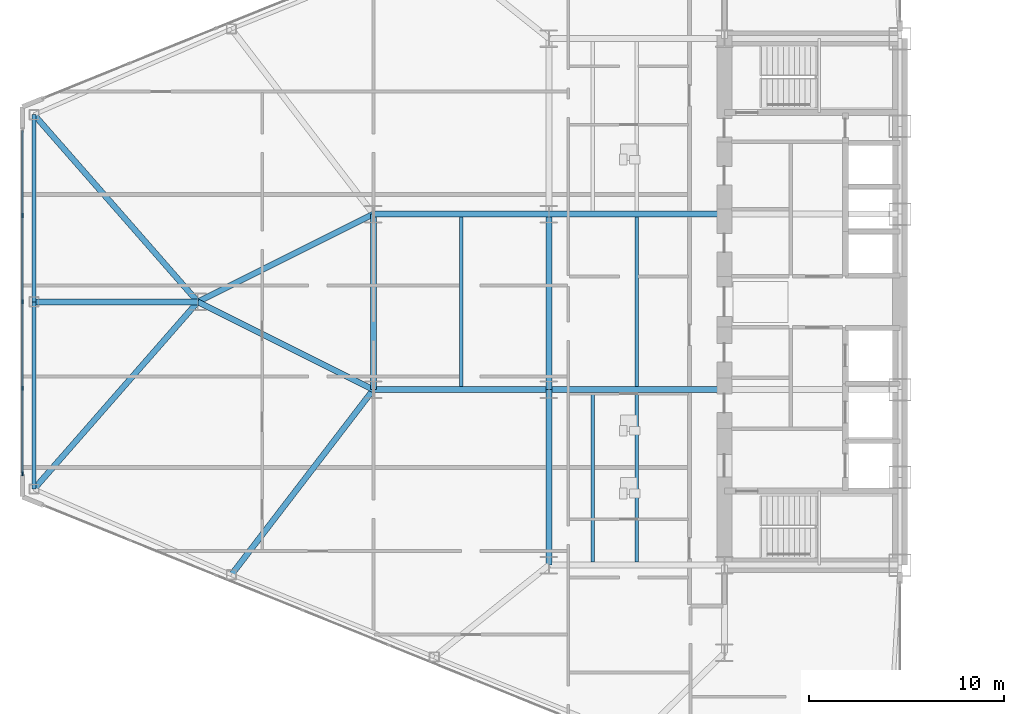
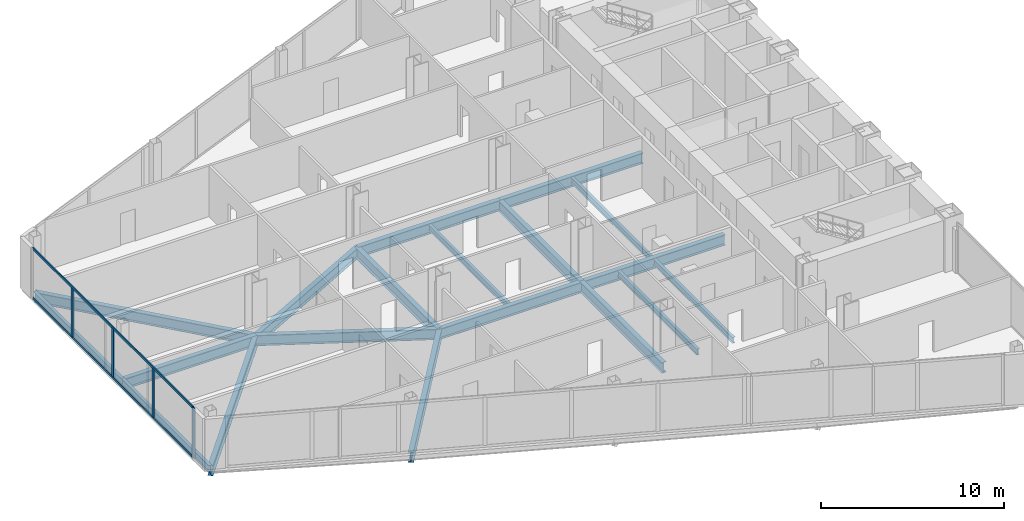
# One storey, part 4 of 25: 19 beams, 6 members, 1 element without a shape of its own.
"""IFC4 building model written with IfcOpenShell, lengths in metres."""

import ifcopenshell
import ifcopenshell.guid

model = None  # the IFC model being written
_history = None  # IfcOwnerHistory: only IFC2X3 demands one
_inside = {}  # id of a spatial element -> (the spatial element, [elements in it])
_under = {}  # id of a project, library or spatial element -> (it, [spatial elements below it])
_declared = {}  # id of a project -> (the project, [libraries it declares])
_typed = {}  # id of a type object -> (the type object, [elements of that type])
_made_of = {}  # id of a material, layer set ... -> (it, [elements and type objects made of it])


def new_model(schema):
    """Start an empty IFC model of exactly this schema.

    Asked for "IFC4X3", IfcOpenShell would pick the latest addendum, in which some entities
    have other attributes; the version numbers below select the first issue.
    IFC2X3 requires an IfcOwnerHistory on every rooted entity: one is made here for all.
    """
    global model, _history
    if schema == "IFC4X3":
        model = ifcopenshell.file(schema_version=(4, 3, 0, 0))
    else:
        model = ifcopenshell.file(schema=schema)
    _inside.clear()
    _under.clear()
    _declared.clear()
    _typed.clear()
    _made_of.clear()
    _history = None
    if model.schema == "IFC2X3":
        org = make("IfcOrganization", Name="unknown")
        user = make(
            "IfcPersonAndOrganization",
            ThePerson=make("IfcPerson", FamilyName="unknown"),
            TheOrganization=org,
        )
        app = make(
            "IfcApplication",
            ApplicationDeveloper=org,
            Version="unknown",
            ApplicationFullName="unknown",
            ApplicationIdentifier="unknown",
        )
        _history = make(
            "IfcOwnerHistory",
            OwningUser=user,
            OwningApplication=app,
            ChangeAction="ADDED",
            CreationDate=0,
        )
    return model


def make(cls, **values):
    """One entity of the class cls with the attributes given. An attribute that is None is left unset."""
    return model.create_entity(
        cls, **{name: value for name, value in values.items() if value is not None}
    )


def rooted(cls, **values):
    """An entity with a GlobalId (a new one), such as an element, a storey or a relation."""
    return make(cls, GlobalId=ifcopenshell.guid.new(), OwnerHistory=_history, **values)


def si_unit(unit_type, name, prefix=None):
    """IfcSIUnit, for example si_unit("LENGTHUNIT", "METRE", prefix="MILLI")."""
    return make("IfcSIUnit", UnitType=unit_type, Prefix=prefix, Name=name)


def assignment(units):
    """IfcUnitAssignment: the units of a project."""
    return None if units is None else make("IfcUnitAssignment", Units=units)


def point(xyz):
    """IfcCartesianPoint."""
    return None if xyz is None else make("IfcCartesianPoint", Coordinates=xyz)


def direction(xyz):
    """IfcDirection."""
    return None if xyz is None else make("IfcDirection", DirectionRatios=xyz)


def frame(location, z_axis=None, x_axis=None):
    """IfcAxis2Placement3D, a coordinate frame: its origin and axes. An axis left out is left unset."""
    return make(
        "IfcAxis2Placement3D",
        Location=point(location),
        Axis=direction(z_axis),
        RefDirection=direction(x_axis),
    )


def frame_2d(location, x_axis=None):
    """IfcAxis2Placement2D, a coordinate frame in the plane: its origin and x axis."""
    return make(
        "IfcAxis2Placement2D", Location=point(location), RefDirection=direction(x_axis)
    )


def origin():
    """The frame at (0, 0, 0) with its axes left unset."""
    return frame((0.0, 0.0, 0.0))


def origin_2d():
    """The frame at (0, 0) in the plane with its x axis left unset."""
    return frame_2d((0.0, 0.0))


def place(relative_to, where):
    """IfcLocalPlacement: puts the frame where relative to a parent placement (None: the world)."""
    return make(
        "IfcLocalPlacement", PlacementRelTo=relative_to, RelativePlacement=where
    )


def context(
    kind, dimensions, precision=None, world=None, true_north=None, identifier=None
):
    """IfcGeometricRepresentationContext, for example the 3D "Model" context."""
    return make(
        "IfcGeometricRepresentationContext",
        ContextIdentifier=identifier,
        ContextType=kind,
        CoordinateSpaceDimension=dimensions,
        Precision=precision,
        WorldCoordinateSystem=world,
        TrueNorth=true_north,
    )


def subcontext(parent, identifier, kind, view, scale=None):
    """IfcGeometricRepresentationSubContext, for example "Body" below "Model"."""
    return make(
        "IfcGeometricRepresentationSubContext",
        ContextIdentifier=identifier,
        ContextType=kind,
        ParentContext=parent,
        TargetScale=scale,
        TargetView=view,
    )


def project(units=None, contexts=None):
    """IfcProject with its units and contexts."""
    return rooted(
        "IfcProject",
        Name="project",
        RepresentationContexts=contexts,
        UnitsInContext=assignment(units),
    )


def spatial(cls, under=None, at=None, **own):
    """A site, building, storey or space (cls), placed at a placement, below another one or the project."""
    s = rooted(cls, ObjectPlacement=at, **own)
    if under is not None:
        _under.setdefault(under.id(), (under, []))[1].append(s)
    return s


def profile(cls, at=None, kind="AREA", **sizes):
    """A parametric profile (cls). Its sizes go by their IFC names, for example OverallWidth=200.0."""
    return make(cls, ProfileType=kind, Position=at, **sizes)


def rectangle(**sizes):
    """IfcRectangleProfileDef."""
    return profile("IfcRectangleProfileDef", **sizes)


def i_section(**sizes):
    """IfcIShapeProfileDef."""
    return profile("IfcIShapeProfileDef", **sizes)


def extrude(swept, where, along, depth):
    """IfcExtrudedAreaSolid: the profile swept, set in the frame where, extruded along a direction by depth."""
    return make(
        "IfcExtrudedAreaSolid",
        SweptArea=swept,
        Position=where,
        ExtrudedDirection=direction(along),
        Depth=depth,
    )


def shape(context_of_items, identifier, shape_type, items):
    """IfcShapeRepresentation: the items that make up one representation, for example the "Body"."""
    return make(
        "IfcShapeRepresentation",
        ContextOfItems=context_of_items,
        RepresentationIdentifier=identifier,
        RepresentationType=shape_type,
        Items=items,
    )


def source(mapping_origin, context_of_items, identifier, shape_type, items):
    """IfcRepresentationMap: a shape defined once, which mapped items show again and again."""
    return make(
        "IfcRepresentationMap",
        MappingOrigin=mapping_origin,
        MappedRepresentation=shape(context_of_items, identifier, shape_type, items),
    )


def transform(
    local_origin,
    x_axis=None,
    y_axis=None,
    z_axis=None,
    scale=None,
    scale2=None,
    scale3=None,
    uniform=True,
):
    """IfcCartesianTransformationOperator3D, or its non-uniform kind. x_axis, y_axis, z_axis: its Axis1, 2, 3."""
    if uniform:
        return make(
            "IfcCartesianTransformationOperator3D",
            Axis1=direction(x_axis),
            Axis2=direction(y_axis),
            LocalOrigin=point(local_origin),
            Scale=scale,
            Axis3=direction(z_axis),
        )
    return make(
        "IfcCartesianTransformationOperator3DnonUniform",
        Axis1=direction(x_axis),
        Axis2=direction(y_axis),
        LocalOrigin=point(local_origin),
        Scale=scale,
        Axis3=direction(z_axis),
        Scale2=scale2,
        Scale3=scale3,
    )


def mapped(mapping_source, mapping_target):
    """IfcMappedItem: shows the shape of a source again, moved by a transform."""
    return make(
        "IfcMappedItem", MappingSource=mapping_source, MappingTarget=mapping_target
    )


def material(Name=None, Category=None):
    """IfcMaterial."""
    return make("IfcMaterial", Name=Name, Category=Category)


def layer(
    of_material, thickness, ventilated=None, Name=None, Category=None, Priority=None
):
    """IfcMaterialLayer: one layer of a wall or slab, of a material (None: an air gap)."""
    return make(
        "IfcMaterialLayer",
        Material=of_material,
        LayerThickness=thickness,
        IsVentilated=ventilated,
        Name=Name,
        Category=Category,
        Priority=Priority,
    )


def layer_set(layers, Name=None):
    """IfcMaterialLayerSet."""
    return make("IfcMaterialLayerSet", MaterialLayers=layers, LayerSetName=Name)


def material_profile(
    of_material, cross_section, Name=None, Category=None, Priority=None
):
    """IfcMaterialProfile: a cross section and its material."""
    return make(
        "IfcMaterialProfile",
        Name=Name,
        Material=of_material,
        Profile=cross_section,
        Priority=Priority,
        Category=Category,
    )


def profile_set(profiles, Name=None, composite=None):
    """IfcMaterialProfileSet."""
    return make(
        "IfcMaterialProfileSet",
        Name=Name,
        MaterialProfiles=profiles,
        CompositeProfile=composite,
    )


def made_of(thing, what):
    """Note that an element or type object is made of a material, layer set ...; save() writes the relation."""
    if what is not None:
        _made_of.setdefault(what.id(), (what, []))[1].append(thing)
    return thing


def type_object(cls, material=None, **own):
    """A type object (cls), such as IfcWallType, which elements share."""
    return made_of(rooted(cls, **own), material)


def type_shapes(of_type, sources):
    """Give a type object the sources (RepresentationMaps) that its elements show as mapped items."""
    of_type.RepresentationMaps = sources


def element(
    cls,
    number,
    at=None,
    inside=None,
    cuts=None,
    type_object=None,
    material=None,
    context=None,
    identifier="Body",
    shape_type=None,
    held_by="IfcProductDefinitionShape",
    body=None,
    shapes=None,
    **own,
):
    """One element of the class cls, such as IfcWall. Its Tag is "e" and its number.

    at: its placement. inside: the storey or other place that contains it. cuts: it is an
    opening in that element (IfcRelVoidsElement). A single representation is given by context,
    identifier, shape_type and body (its items); several are given by shapes. held_by: the class
    of the entity that holds the representations. save() writes the other relations.
    """
    e = rooted(cls, Tag="e%d" % number, ObjectPlacement=at, **own)
    if body is not None:
        shapes = [shape(context, identifier, shape_type, body)]
    if shapes is not None:
        e.Representation = make(held_by, Representations=shapes)
    if inside is not None:
        _inside.setdefault(inside.id(), (inside, []))[1].append(e)
    if cuts is not None:
        rooted(
            "IfcRelVoidsElement", RelatingBuildingElement=cuts, RelatedOpeningElement=e
        )
    if type_object is not None:
        _typed.setdefault(type_object.id(), (type_object, []))[1].append(e)
    return made_of(e, material)


def aggregate(whole, parts):
    """IfcRelAggregates: a whole, such as a stair, and the parts it consists of."""
    return rooted("IfcRelAggregates", RelatingObject=whole, RelatedObjects=parts)


def save(model, path):
    """Write the relations noted so far, then the file.

    IfcRelAggregates (storeys below a building ...), IfcRelContainedInSpatialStructure (elements
    in a storey), IfcRelDefinesByType, IfcRelAssociatesMaterial and IfcRelDeclares: one each for
    every whole, place, type object, material and project.
    """
    for whole, parts in _under.values():
        aggregate(whole, parts)
    for where, things in _inside.values():
        rooted(
            "IfcRelContainedInSpatialStructure",
            RelatedElements=things,
            RelatingStructure=where,
        )
    for kind, things in _typed.values():
        rooted("IfcRelDefinesByType", RelatedObjects=things, RelatingType=kind)
    for what, things in _made_of.values():
        rooted("IfcRelAssociatesMaterial", RelatedObjects=things, RelatingMaterial=what)
    for by, libraries in _declared.values():
        rooted("IfcRelDeclares", RelatingContext=by, RelatedDefinitions=libraries)
    model.write(path)


model = new_model("IFC4")

# Units and contexts
model_context = context("Model", 3, precision=1e-05, world=origin(), true_north=direction((0.0, 1.0)))
body_context = subcontext(model_context, "Body", "Model", "MODEL_VIEW")
ifc_project = project(units=[si_unit("LENGTHUNIT", "METRE"), si_unit("AREAUNIT", "SQUARE_METRE"), si_unit("VOLUMEUNIT", "CUBIC_METRE"), si_unit("PLANEANGLEUNIT", "RADIAN"), si_unit("MASSUNIT", "GRAM", prefix="KILO")], contexts=[model_context])

# Site, building, storey
site_placement = place(None, origin())
site = spatial("IfcSite", under=ifc_project, at=site_placement, CompositionType="ELEMENT")
building_placement = place(site_placement, origin())
building = spatial("IfcBuilding", under=site, at=building_placement, Name="Seokmaru Belvedere", CompositionType="ELEMENT")
storey_placement = place(building_placement, frame((0.0, 0.0, 47.699951171875)))
storey = spatial("IfcBuildingStorey", under=building, at=storey_placement, Name="L12", CompositionType="ELEMENT", Elevation=47.699951171875)

# Beams
ifc_material_1 = material(Name="Steel SM355 (355 MPa)", Category="steel")
ifc_material_profile_1 = material_profile(ifc_material_1, i_section(OverallWidth=0.300048828125, OverallDepth=0.699951171875, WebThickness=0.012939453125, FlangeThickness=0.02392578125, at=origin_2d()), Name="H-700x300x13x24")
ifc_profile_set_1 = profile_set([ifc_material_profile_1], Name="Steel SM355 (355 MPa)")
beam_type_1 = type_object("IfcBeamType", Name="Primary Floor Girder H-700", PredefinedType="BEAM", material=ifc_profile_set_1)
shared_shape_1 = source(origin(), body_context, "Body", "SweptSolid", [
    extrude(i_section(OverallWidth=0.300048828125, OverallDepth=0.699951171875, WebThickness=0.012939453125, FlangeThickness=0.02392578125, at=origin_2d()), origin(), (0.0, 0.0, 1.0), 9.0),
])
for number, where, z_axis, x_axis, name in (
    (1, (-45.5, -13.5, -0.570068359375), (0.0, 1.0, 0.0), (-1.0, 0.0, 0.0), "L12 W Interior Grid Girder 1"),
    (2, (-45.5, -4.5, -0.570068359375), (0.0, 1.0, 0.0), (-1.0, 0.0, 0.0), "L12 W Interior Grid Girder 2"),
    (3, (-45.5, -4.5, -0.570068359375), (1.0, 0.0, 0.0), (0.0, 1.0, 0.0), "L12 W Wing Primary Girder 2"),
    (4, (-45.5, 4.5, -0.570068359375), (1.0, 0.0, 0.0), (0.0, 1.0, 0.0), "L12 W Wing Primary Girder 3"),
    (5, (-54.5, -4.5, -0.570068359375), (1.0, 0.0, 0.0), (0.0, 1.0, 0.0), "L12 W Outer Wing Girder 1"),
    (6, (-54.5, 4.5, -0.570068359375), (1.0, 0.0, 0.0), (0.0, 1.0, 0.0), "L12 W Outer Wing Girder 2"),
    (7, (-54.5, -4.5, -0.570068359375), (0.0, 1.0, 0.0), (-1.0, 0.0, 0.0), "L12 W Apex Frame Girder"),
):
    element("IfcBeam", number, at=place(storey_placement, frame(where, z_axis=z_axis, x_axis=x_axis)), inside=storey, type_object=beam_type_1, Name=name, PredefinedType="BEAM", context=body_context, shape_type="MappedRepresentation", body=[
        mapped(shared_shape_1, transform((0.0, 0.0, 0.0), scale=1.0)),
    ])
shared_shape_2 = source(origin(), body_context, "Body", "SweptSolid", [
    extrude(i_section(OverallWidth=0.300048828125, OverallDepth=0.699951171875, WebThickness=0.012939453125, FlangeThickness=0.02392578125, at=origin_2d()), origin(), (0.0, 0.0, 1.0), 10.062255859375),
])
for number, where, z_axis, x_axis, name in (
    (8, (-54.5, -4.5, -0.570068359375), (-0.894427191, 0.4472135955, 0.0), (-0.4472135955, -0.894427191, 0.0), "L12 W Apex Converging Girder 1"),
    (9, (-54.5, 4.5, -0.570068359375), (-0.894427191, -0.4472135955, 0.0), (0.4472135955, -0.894427191, 0.0), "L12 W Apex Converging Girder 2"),
):
    element("IfcBeam", number, at=place(storey_placement, frame(where, z_axis=z_axis, x_axis=x_axis)), inside=storey, type_object=beam_type_1, Name=name, PredefinedType="BEAM", context=body_context, shape_type="MappedRepresentation", body=[
        mapped(shared_shape_2, transform((0.0, 0.0, 0.0), scale=1.0)),
    ])
ifc_material_profile_2 = material_profile(ifc_material_1, i_section(OverallWidth=0.18505859375, OverallDepth=0.389892578125, WebThickness=0.008056640625, FlangeThickness=0.011962890625, at=origin_2d()), Name="H-390x185x8x12")
ifc_profile_set_2 = profile_set([ifc_material_profile_2], Name="Steel SM355 (355 MPa)")
beam_type_2 = type_object("IfcBeamType", Name="Secondary Floor Joist H-350", PredefinedType="JOIST", material=ifc_profile_set_2)
shared_shape_3 = source(origin(), body_context, "Body", "SweptSolid", [
    extrude(i_section(OverallWidth=0.18505859375, OverallDepth=0.389892578125, WebThickness=0.008056640625, FlangeThickness=0.011962890625, at=origin_2d()), origin(), (0.0, 0.0, 1.0), 8.68994140625),
])
type_shapes(beam_type_2, [shared_shape_3])
for number, where, z_axis, x_axis, name in (
    (10, (-43.25, -13.344970703125, -0.4150390625), (0.0, 1.0, 0.0), (-1.0, 0.0, 0.0), "L12 W Wing Inner Secondary Joist 1"),
    (11, (-41.0, -13.344970703125, -0.4150390625), (0.0, 1.0, 0.0), (-1.0, 0.0, 0.0), "L12 W Secondary Floor Joist 1"),
    (12, (-41.0, -4.344970703125, -0.4150390625), (0.0, 1.0, 0.0), (-1.0, 0.0, 0.0), "L12 W Secondary Floor Joist 2"),
    (13, (-50.0, -4.344970703125, -0.4150390625), (0.0, 1.0, 0.0), (-1.0, 0.0, 0.0), "L12 W Outer Bay Secondary Joist"),
):
    element("IfcBeam", number, at=place(storey_placement, frame(where, z_axis=z_axis, x_axis=x_axis)), inside=storey, type_object=beam_type_2, Name=name, PredefinedType="JOIST", context=body_context, shape_type="MappedRepresentation", body=[
        mapped(shared_shape_3, transform((0.0, 0.0, 0.0), scale=1.0)),
    ])
shared_shape_4 = source(origin(), body_context, "Body", "SweptSolid", [
    extrude(i_section(OverallWidth=0.300048828125, OverallDepth=0.699951171875, WebThickness=0.012939453125, FlangeThickness=0.02392578125, at=origin_2d()), origin(), (0.0, 0.0, 1.0), 12.7529296875),
])
for number, where, z_axis, x_axis, name in (
    (14, (-71.89990234375, -9.595703125, -0.570068359375), (0.658667231479, 0.752434368019, 0.0), (-0.752434368019, 0.658667231479, 0.0), "L12 W Apex Radial Floor Girder 1"),
    (15, (-71.89990234375, 9.595703125, -0.570068359375), (0.658667231479, -0.752434368019, 0.0), (0.752434368019, 0.658667231479, 0.0), "L12 W Apex Radial Floor Girder 2"),
):
    element("IfcBeam", number, at=place(storey_placement, frame(where, z_axis=z_axis, x_axis=x_axis)), inside=storey, type_object=beam_type_1, Name=name, PredefinedType="BEAM", context=body_context, shape_type="MappedRepresentation", body=[
        mapped(shared_shape_4, transform((0.0, 0.0, 0.0), scale=1.0)),
    ])
ifc_material_profile_3 = material_profile(ifc_material_1, i_section(OverallWidth=0.199951171875, OverallDepth=0.5, WebThickness=0.010009765625, FlangeThickness=0.01611328125, at=origin_2d()), Name="H-500x200x10x16")
ifc_profile_set_3 = profile_set([ifc_material_profile_3], Name="Steel SM355 (355 MPa)")
beam_type_3 = type_object("IfcBeamType", Name="Perimeter Spandrel Beam H-500", PredefinedType="SPANDREL", material=ifc_profile_set_3)
shared_shape_5 = source(origin(), body_context, "Body", "SweptSolid", [
    extrude(i_section(OverallWidth=0.199951171875, OverallDepth=0.5, WebThickness=0.010009765625, FlangeThickness=0.01611328125, at=origin_2d()), origin(), (0.0, 0.0, 1.0), 9.595703125),
])
type_shapes(beam_type_3, [shared_shape_5])
for number, where, z_axis, x_axis, name in (
    (16, (-71.89990234375, -9.595703125, -0.469970703125), (0.0, 1.0, 0.0), (-1.0, 0.0, 0.0), "L12 W Faceted Apex Spandrel S"),
    (17, (-71.89990234375, 0.0, -0.469970703125), (0.0, 1.0, 0.0), (-1.0, 0.0, 0.0), "L12 W Faceted Apex Spandrel N"),
):
    element("IfcBeam", number, at=place(storey_placement, frame(where, z_axis=z_axis, x_axis=x_axis)), inside=storey, type_object=beam_type_3, Name=name, PredefinedType="SPANDREL", context=body_context, shape_type="MappedRepresentation", body=[
        mapped(shared_shape_5, transform((0.0, 0.0, 0.0), scale=1.0)),
    ])
shared_shape_6 = source(origin(), body_context, "Body", "SweptSolid", [
    extrude(i_section(OverallWidth=0.300048828125, OverallDepth=0.699951171875, WebThickness=0.012939453125, FlangeThickness=0.02392578125, at=origin_2d()), origin(), (0.0, 0.0, 1.0), 11.96337890625),
])
beam_1_placement = place(storey_placement, frame((-61.779052734375, -13.994140625, -0.570068359375), z_axis=(0.608442682624, 0.793597821294, 0.0), x_axis=(-0.793597821294, 0.608442682624, 0.0)))
element("IfcBeam", 18, at=beam_1_placement, inside=storey, type_object=beam_type_1, Name="L12 W Flank Radial Floor Girder S-3", PredefinedType="BEAM", context=body_context, shape_type="MappedRepresentation", body=[
    mapped(shared_shape_6, transform((0.0, 0.0, 0.0), scale=1.0)),
])
shared_shape_7 = source(origin(), body_context, "Body", "SweptSolid", [
    extrude(i_section(OverallWidth=0.300048828125, OverallDepth=0.699951171875, WebThickness=0.012939453125, FlangeThickness=0.02392578125, at=origin_2d()), origin(), (0.0, 0.0, 1.0), 8.39990234375),
])
type_shapes(beam_type_1, [shared_shape_1, shared_shape_2, shared_shape_4, shared_shape_6, shared_shape_7])
beam_2_placement = place(storey_placement, frame((-71.89990234375, 0.0, -0.570068359375), z_axis=(1.0, 0.0, 0.0), x_axis=(0.0, 1.0, 0.0)))
element("IfcBeam", 19, at=beam_2_placement, inside=storey, type_object=beam_type_1, Name="L12 W Apex Center Radial Girder", PredefinedType="BEAM", context=body_context, shape_type="MappedRepresentation", body=[
    mapped(shared_shape_7, transform((0.0, 0.0, 0.0), scale=1.0)),
])

# Curtain wall, members
ifc_material_2 = material(Name="Bronze Triple Insulating Glass", Category="glass")
ifc_layer = layer(ifc_material_2, 0.2099609375)
ifc_layer_set = layer_set([ifc_layer], Name="Bronze Triple Insulating Glass")
curtain_wall_type = type_object("IfcCurtainWallType", Name="Low-Rise Faceted Crystal Curtain Wall System CW-2", PredefinedType="NOTDEFINED", material=ifc_layer_set)
curtain_wall_placement = place(storey_placement, origin())
curtain_wall = element("IfcCurtainWall", 20, at=curtain_wall_placement, inside=storey, type_object=curtain_wall_type, Name="L12 Curtain Wall WF4", PredefinedType="NOTDEFINED")
ifc_material_3 = material(Name="Anodised Bronze Aluminium", Category="aluminium")
ifc_material_profile_4 = material_profile(ifc_material_3, rectangle(XDim=0.074951171875, YDim=0.2099609375, at=origin_2d()), Name="CW-M-75x210")
ifc_profile_set_4 = profile_set([ifc_material_profile_4], Name="Anodised Bronze Aluminium")
member_type_1 = type_object("IfcMemberType", Name="Bronze Unitised Mullion 75x210", PredefinedType="MULLION", material=ifc_profile_set_4)
shared_shape_8 = source(origin(), body_context, "Body", "SweptSolid", [
    extrude(rectangle(XDim=0.074951171875, YDim=0.2099609375, at=origin_2d()), origin(), (0.0, 0.0, 1.0), 3.380126953125),
])
member_1_placement = place(storey_placement, frame((-72.5, -8.8125, 0.0), z_axis=(0.0, 0.0, 1.0), x_axis=(1.0, 0.0, 0.0)))
member_1 = element("IfcMember", 21, at=member_1_placement, type_object=member_type_1, Name="CW:L12:WF4 Mullion 5", PredefinedType="MULLION", context=body_context, shape_type="MappedRepresentation", body=[
    mapped(shared_shape_8, transform((0.0, 0.0, 0.0), scale=1.0)),
])
shared_shape_9 = source(origin(), body_context, "Body", "SweptSolid", [
    extrude(rectangle(XDim=0.074951171875, YDim=0.2099609375, at=origin_2d()), origin(), (0.0, 0.0, 1.0), 3.239990234375),
])
type_shapes(member_type_1, [shared_shape_8, shared_shape_9])
member_2_placement = place(storey_placement, frame((-72.5, 4.425048828125, 0.070068359375), z_axis=(0.0, 0.0, 1.0), x_axis=(1.0, 0.0, 0.0)))
member_2 = element("IfcMember", 22, at=member_2_placement, type_object=member_type_1, Name="CW:L12:WF4 Mullion 2", PredefinedType="MULLION", context=body_context, shape_type="MappedRepresentation", body=[
    mapped(shared_shape_9, transform((0.0, 0.0, 0.0), scale=1.0)),
])
member_3_placement = place(storey_placement, frame((-72.5, 0.0, 0.070068359375), z_axis=(0.0, 0.0, 1.0), x_axis=(1.0, 0.0, 0.0)))
member_3 = element("IfcMember", 23, at=member_3_placement, type_object=member_type_1, Name="CW:L12:WF4 Mullion 3", PredefinedType="MULLION", context=body_context, shape_type="MappedRepresentation", body=[
    mapped(shared_shape_9, transform((0.0, 0.0, 0.0), scale=1.0)),
])
member_4_placement = place(storey_placement, frame((-72.5, -4.425048828125, 0.070068359375), z_axis=(0.0, 0.0, 1.0), x_axis=(1.0, 0.0, 0.0)))
member_4 = element("IfcMember", 24, at=member_4_placement, type_object=member_type_1, Name="CW:L12:WF4 Mullion 4", PredefinedType="MULLION", context=body_context, shape_type="MappedRepresentation", body=[
    mapped(shared_shape_9, transform((0.0, 0.0, 0.0), scale=1.0)),
])
ifc_material_profile_5 = material_profile(ifc_material_3, rectangle(XDim=0.070068359375, YDim=0.1650390625, at=origin_2d()), Name="CW-T-70x165")
ifc_profile_set_5 = profile_set([ifc_material_profile_5], Name="Anodised Bronze Aluminium")
member_type_2 = type_object("IfcMemberType", Name="Bronze Unitised Transom 70x165", PredefinedType="USERDEFINED", material=ifc_profile_set_5)
shared_shape_10 = source(origin(), body_context, "Body", "SweptSolid", [
    extrude(rectangle(XDim=0.070068359375, YDim=0.1650390625, at=origin_2d()), origin(), (0.0, 0.0, 1.0), 17.5498046875),
])
type_shapes(member_type_2, [shared_shape_10])
member_5_placement = place(storey_placement, frame((-72.5, 8.77490234375, 0.03515625), z_axis=(0.0, -1.0, 0.0), x_axis=(1.0, 0.0, 0.0)))
member_5 = element("IfcMember", 25, at=member_5_placement, type_object=member_type_2, Name="CW:L12:WF4 Continuous Transom 1", ObjectType="TRANSOM", PredefinedType="USERDEFINED", context=body_context, shape_type="MappedRepresentation", body=[
    mapped(shared_shape_10, transform((0.0, 0.0, 0.0), scale=1.0)),
])
member_6_placement = place(storey_placement, frame((-72.5, 8.77490234375, 3.344970703125), z_axis=(0.0, -1.0, 0.0), x_axis=(1.0, 0.0, 0.0)))
member_6 = element("IfcMember", 26, at=member_6_placement, type_object=member_type_2, Name="CW:L12:WF4 Continuous Transom 2", ObjectType="TRANSOM", PredefinedType="USERDEFINED", context=body_context, shape_type="MappedRepresentation", body=[
    mapped(shared_shape_10, transform((0.0, 0.0, 0.0), scale=1.0)),
])
aggregate(curtain_wall, [member_2, member_3, member_4, member_1, member_5, member_6])

save(model, "model.ifc")
